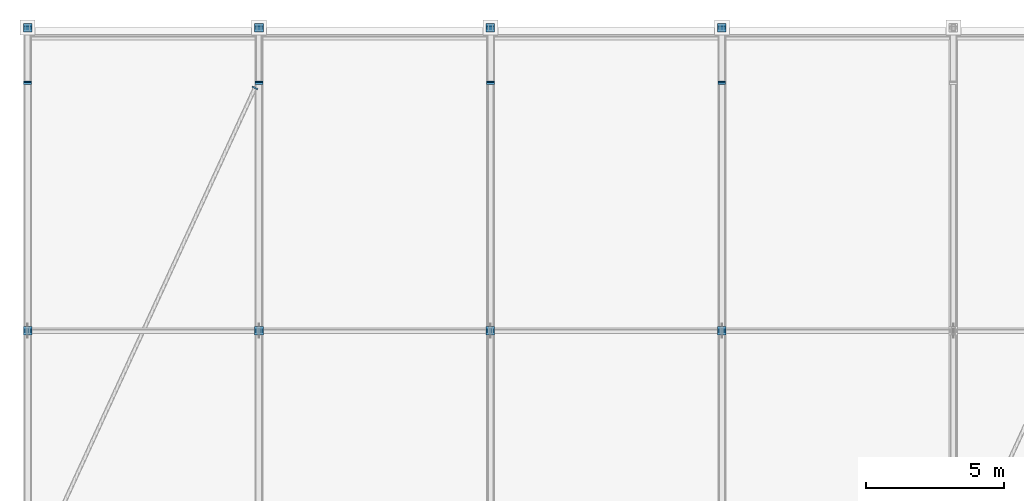
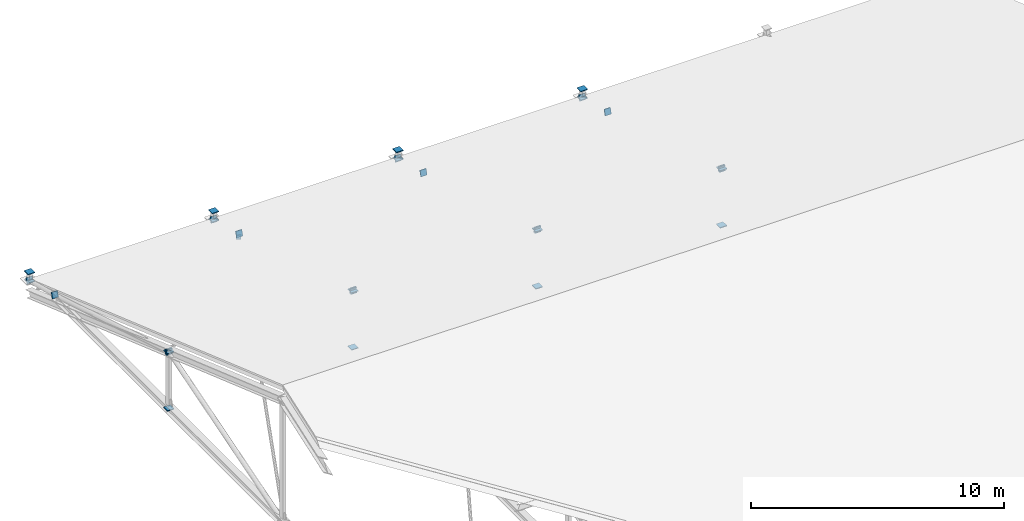
# One storey, part 53 of 57: 37 discrete accessories.
"""IFC4 building model written with IfcOpenShell, lengths in metres."""

from ifc_helpers import new_model, si_unit, direction, frame, origin, origin_2d, place, context, subcontext, project, spatial, rectangle, extrude, material, material_profile, profile_set, type_object, element, save


model = new_model("IFC4")

# Units and contexts
model_context = context("Model", 3, precision=1e-05, world=origin(), true_north=direction((0.0, 1.0)))
body_context = subcontext(model_context, "Body", "Model", "MODEL_VIEW")
ifc_project = project(units=[si_unit("LENGTHUNIT", "METRE"), si_unit("AREAUNIT", "SQUARE_METRE"), si_unit("VOLUMEUNIT", "CUBIC_METRE"), si_unit("PLANEANGLEUNIT", "RADIAN"), si_unit("MASSUNIT", "GRAM", prefix="KILO")], contexts=[model_context])

# Site, building, storey
site_placement = place(None, origin())
site = spatial("IfcSite", under=ifc_project, at=site_placement, CompositionType="ELEMENT")
building_placement = place(site_placement, origin())
building = spatial("IfcBuilding", under=site, at=building_placement, Name="Kelarvand Opera House", CompositionType="ELEMENT")
storey_placement = place(building_placement, frame((0.0, 0.0, 33.60009765625)))
storey = spatial("IfcBuildingStorey", under=building, at=storey_placement, Name="Roof", CompositionType="ELEMENT", Elevation=33.60009765625)

# Discrete accessories
ifc_material = material(Name="Steel S355", Category="steel")
ifc_material_profile_1 = material_profile(ifc_material, rectangle(XDim=0.199951171875, YDim=0.199951171875, at=origin_2d()), Name="Welded Steel Hollow End-Cap Plate 200x200x24", Category="steel")
ifc_profile_set_1 = profile_set([ifc_material_profile_1], Name="Steel S355")
discrete_accessory_type_1 = type_object("IfcDiscreteAccessoryType", Name="Welded Steel Hollow End-Cap Plate 200x200x24", PredefinedType="SHOE", material=ifc_profile_set_1)
discrete_accessory_1_placement = place(storey_placement, frame((17.24658203125, 122.792724609375, -13.580078125), z_axis=(0.419916986117, 0.907562518381, 0.0), x_axis=(-0.907562518381, 0.419916986117, 0.0)))
element("IfcDiscreteAccessory", 1, at=discrete_accessory_1_placement, inside=storey, type_object=discrete_accessory_type_1, Name="Hollow Section Welded End Cap 690", PredefinedType="SHOE", context=body_context, shape_type="SweptSolid", body=[
    extrude(rectangle(XDim=0.199951171875, YDim=0.199951171875, at=origin_2d()), origin(), (0.0, 0.0, 1.0), 0.0361328125),
])
ifc_material_profile_2 = material_profile(ifc_material, rectangle(XDim=0.279052734375, YDim=0.279052734375, at=origin_2d()), Name="Welded Steel Hollow End-Cap Plate 279x279x24", Category="steel")
ifc_profile_set_2 = profile_set([ifc_material_profile_2], Name="Steel S355")
discrete_accessory_type_2 = type_object("IfcDiscreteAccessoryType", Name="Welded Steel Hollow End-Cap Plate 279x279x24", PredefinedType="SHOE", material=ifc_profile_set_2)
for number, where, z_axis, x_axis, name in (
    (2, (9.0, 124.9921875, -14.09814453125), (0.0, 0.968118610388, -0.250492227863), (-1.0, 0.0, 0.0), "Hollow Section Welded End Cap 547"),
    (3, (9.0, 123.0078125, -13.58203125), (0.0, -0.968118610388, 0.250492227863), (1.0, 0.0, 0.0), "Hollow Section Welded End Cap 548"),
    (4, (9.0, 113.9921875, -10.855224609375), (0.0, 0.957081072506, 0.289820324773), (-1.0, 0.0, 0.0), "Hollow Section Welded End Cap 556"),
    (5, (9.0, 114.0078125, -10.855224609375), (0.0, -0.957081072506, 0.289820324773), (1.0, 0.0, 0.0), "Hollow Section Welded End Cap 557"),
    (6, (9.0, 122.9921875, -13.577880859375), (0.0, 0.958934255811, -0.28362844186), (-1.0, 0.0, 0.0), "Hollow Section Welded End Cap 558"),
    (7, (17.39990234375, 124.9921875, -14.09814453125), (0.0, 0.968118610388, -0.250492227863), (-1.0, 0.0, 0.0), "Hollow Section Welded End Cap 571"),
    (8, (17.39990234375, 123.0078125, -13.58203125), (0.0, -0.968118610388, 0.250492227863), (1.0, 0.0, 0.0), "Hollow Section Welded End Cap 572"),
    (9, (17.39990234375, 113.9921875, -10.855224609375), (0.0, 0.957081072506, 0.289820324773), (-1.0, 0.0, 0.0), "Hollow Section Welded End Cap 580"),
    (10, (17.39990234375, 114.0078125, -10.855224609375), (0.0, -0.957081072506, 0.289820324773), (1.0, 0.0, 0.0), "Hollow Section Welded End Cap 581"),
    (11, (17.39990234375, 122.9921875, -13.577880859375), (0.0, 0.958934255811, -0.28362844186), (-1.0, 0.0, 0.0), "Hollow Section Welded End Cap 582"),
    (12, (25.800048828125, 124.9921875, -14.09814453125), (0.0, 0.968118610388, -0.250492227863), (-1.0, 0.0, 0.0), "Hollow Section Welded End Cap 595"),
    (13, (25.800048828125, 123.0078125, -13.58203125), (0.0, -0.968118610388, 0.250492227863), (1.0, 0.0, 0.0), "Hollow Section Welded End Cap 596"),
    (14, (25.800048828125, 113.9921875, -10.855224609375), (0.0, 0.957081072506, 0.289820324773), (-1.0, 0.0, 0.0), "Hollow Section Welded End Cap 604"),
    (15, (25.800048828125, 114.0078125, -10.855224609375), (0.0, -0.957081072506, 0.289820324773), (1.0, 0.0, 0.0), "Hollow Section Welded End Cap 605"),
    (16, (25.800048828125, 122.9921875, -13.577880859375), (0.0, 0.958934255811, -0.28362844186), (-1.0, 0.0, 0.0), "Hollow Section Welded End Cap 606"),
    (17, (34.199951171875, 124.9921875, -14.09814453125), (0.0, 0.968118610388, -0.250492227863), (-1.0, 0.0, 0.0), "Hollow Section Welded End Cap 619"),
    (18, (34.199951171875, 123.0078125, -13.58203125), (0.0, -0.968118610388, 0.250492227863), (1.0, 0.0, 0.0), "Hollow Section Welded End Cap 620"),
    (19, (34.199951171875, 113.9921875, -10.855224609375), (0.0, 0.957081072506, 0.289820324773), (-1.0, 0.0, 0.0), "Hollow Section Welded End Cap 628"),
    (20, (34.199951171875, 114.0078125, -10.855224609375), (0.0, -0.957081072506, 0.289820324773), (1.0, 0.0, 0.0), "Hollow Section Welded End Cap 629"),
    (21, (34.199951171875, 122.9921875, -13.577880859375), (0.0, 0.958934255811, -0.28362844186), (-1.0, 0.0, 0.0), "Hollow Section Welded End Cap 630"),
):
    element("IfcDiscreteAccessory", number, at=place(storey_placement, frame(where, z_axis=z_axis, x_axis=x_axis)), inside=storey, type_object=discrete_accessory_type_2, Name=name, PredefinedType="SHOE", context=body_context, shape_type="SweptSolid", body=[
        extrude(rectangle(XDim=0.279052734375, YDim=0.279052734375, at=origin_2d()), origin(), (0.0, 0.0, 1.0), 0.0361328125),
    ])
ifc_material_profile_3 = material_profile(ifc_material, rectangle(XDim=0.31005859375, YDim=0.31005859375, at=origin_2d()), Name="Welded Steel Hollow End-Cap Plate 310x310x24", Category="steel")
ifc_profile_set_3 = profile_set([ifc_material_profile_3], Name="Steel S355")
discrete_accessory_type_3 = type_object("IfcDiscreteAccessoryType", Name="Welded Steel Hollow End-Cap Plate 310x310x24", PredefinedType="SHOE", material=ifc_profile_set_3)
discrete_accessory_2_placement = place(storey_placement, frame((9.0, 125.0, -14.092041015625), z_axis=(0.0, 0.0, -1.0), x_axis=(1.0, 0.0, 0.0)))
element("IfcDiscreteAccessory", 22, at=discrete_accessory_2_placement, inside=storey, type_object=discrete_accessory_type_3, Name="Hollow Section Welded End Cap 549", PredefinedType="SHOE", context=body_context, shape_type="SweptSolid", body=[
    extrude(rectangle(XDim=0.31005859375, YDim=0.31005859375, at=origin_2d()), origin(), (0.0, 0.0, 1.0), 0.0361328125),
])
discrete_accessory_3_placement = place(storey_placement, frame((9.0, 125.0, -13.7080078125), z_axis=(0.0, 0.0, 1.0), x_axis=(1.0, 0.0, 0.0)))
element("IfcDiscreteAccessory", 23, at=discrete_accessory_3_placement, inside=storey, type_object=discrete_accessory_type_3, Name="Hollow Section Welded End Cap 550", PredefinedType="SHOE", context=body_context, shape_type="SweptSolid", body=[
    extrude(rectangle(XDim=0.31005859375, YDim=0.31005859375, at=origin_2d()), origin(), (0.0, 0.0, 1.0), 0.035888671875),
])
discrete_accessory_4_placement = place(storey_placement, frame((9.0, 114.0, -13.572021484375), z_axis=(0.0, 0.0, -1.0), x_axis=(1.0, 0.0, 0.0)))
element("IfcDiscreteAccessory", 24, at=discrete_accessory_4_placement, inside=storey, type_object=discrete_accessory_type_3, Name="Hollow Section Welded End Cap 563", PredefinedType="SHOE", context=body_context, shape_type="SweptSolid", body=[
    extrude(rectangle(XDim=0.31005859375, YDim=0.31005859375, at=origin_2d()), origin(), (0.0, 0.0, 1.0), 0.0361328125),
])
discrete_accessory_5_placement = place(storey_placement, frame((9.0, 114.0, -10.86083984375), z_axis=(0.0, 0.0, 1.0), x_axis=(1.0, 0.0, 0.0)))
element("IfcDiscreteAccessory", 25, at=discrete_accessory_5_placement, inside=storey, type_object=discrete_accessory_type_3, Name="Hollow Section Welded End Cap 564", PredefinedType="SHOE", context=body_context, shape_type="SweptSolid", body=[
    extrude(rectangle(XDim=0.31005859375, YDim=0.31005859375, at=origin_2d()), origin(), (0.0, 0.0, 1.0), 0.035888671875),
])
discrete_accessory_6_placement = place(storey_placement, frame((17.39990234375, 125.0, -14.092041015625), z_axis=(0.0, 0.0, -1.0), x_axis=(1.0, 0.0, 0.0)))
element("IfcDiscreteAccessory", 26, at=discrete_accessory_6_placement, inside=storey, type_object=discrete_accessory_type_3, Name="Hollow Section Welded End Cap 573", PredefinedType="SHOE", context=body_context, shape_type="SweptSolid", body=[
    extrude(rectangle(XDim=0.31005859375, YDim=0.31005859375, at=origin_2d()), origin(), (0.0, 0.0, 1.0), 0.0361328125),
])
discrete_accessory_7_placement = place(storey_placement, frame((17.39990234375, 125.0, -13.7080078125), z_axis=(0.0, 0.0, 1.0), x_axis=(1.0, 0.0, 0.0)))
element("IfcDiscreteAccessory", 27, at=discrete_accessory_7_placement, inside=storey, type_object=discrete_accessory_type_3, Name="Hollow Section Welded End Cap 574", PredefinedType="SHOE", context=body_context, shape_type="SweptSolid", body=[
    extrude(rectangle(XDim=0.31005859375, YDim=0.31005859375, at=origin_2d()), origin(), (0.0, 0.0, 1.0), 0.035888671875),
])
discrete_accessory_8_placement = place(storey_placement, frame((17.39990234375, 114.0, -13.572021484375), z_axis=(0.0, 0.0, -1.0), x_axis=(1.0, 0.0, 0.0)))
element("IfcDiscreteAccessory", 28, at=discrete_accessory_8_placement, inside=storey, type_object=discrete_accessory_type_3, Name="Hollow Section Welded End Cap 587", PredefinedType="SHOE", context=body_context, shape_type="SweptSolid", body=[
    extrude(rectangle(XDim=0.31005859375, YDim=0.31005859375, at=origin_2d()), origin(), (0.0, 0.0, 1.0), 0.0361328125),
])
discrete_accessory_9_placement = place(storey_placement, frame((17.39990234375, 114.0, -10.86083984375), z_axis=(0.0, 0.0, 1.0), x_axis=(1.0, 0.0, 0.0)))
element("IfcDiscreteAccessory", 29, at=discrete_accessory_9_placement, inside=storey, type_object=discrete_accessory_type_3, Name="Hollow Section Welded End Cap 588", PredefinedType="SHOE", context=body_context, shape_type="SweptSolid", body=[
    extrude(rectangle(XDim=0.31005859375, YDim=0.31005859375, at=origin_2d()), origin(), (0.0, 0.0, 1.0), 0.035888671875),
])
discrete_accessory_10_placement = place(storey_placement, frame((25.800048828125, 125.0, -14.092041015625), z_axis=(0.0, 0.0, -1.0), x_axis=(1.0, 0.0, 0.0)))
element("IfcDiscreteAccessory", 30, at=discrete_accessory_10_placement, inside=storey, type_object=discrete_accessory_type_3, Name="Hollow Section Welded End Cap 597", PredefinedType="SHOE", context=body_context, shape_type="SweptSolid", body=[
    extrude(rectangle(XDim=0.31005859375, YDim=0.31005859375, at=origin_2d()), origin(), (0.0, 0.0, 1.0), 0.0361328125),
])
discrete_accessory_11_placement = place(storey_placement, frame((25.800048828125, 125.0, -13.7080078125), z_axis=(0.0, 0.0, 1.0), x_axis=(1.0, 0.0, 0.0)))
element("IfcDiscreteAccessory", 31, at=discrete_accessory_11_placement, inside=storey, type_object=discrete_accessory_type_3, Name="Hollow Section Welded End Cap 598", PredefinedType="SHOE", context=body_context, shape_type="SweptSolid", body=[
    extrude(rectangle(XDim=0.31005859375, YDim=0.31005859375, at=origin_2d()), origin(), (0.0, 0.0, 1.0), 0.035888671875),
])
discrete_accessory_12_placement = place(storey_placement, frame((25.800048828125, 114.0, -13.572021484375), z_axis=(0.0, 0.0, -1.0), x_axis=(1.0, 0.0, 0.0)))
element("IfcDiscreteAccessory", 32, at=discrete_accessory_12_placement, inside=storey, type_object=discrete_accessory_type_3, Name="Hollow Section Welded End Cap 611", PredefinedType="SHOE", context=body_context, shape_type="SweptSolid", body=[
    extrude(rectangle(XDim=0.31005859375, YDim=0.31005859375, at=origin_2d()), origin(), (0.0, 0.0, 1.0), 0.0361328125),
])
discrete_accessory_13_placement = place(storey_placement, frame((25.800048828125, 114.0, -10.86083984375), z_axis=(0.0, 0.0, 1.0), x_axis=(1.0, 0.0, 0.0)))
element("IfcDiscreteAccessory", 33, at=discrete_accessory_13_placement, inside=storey, type_object=discrete_accessory_type_3, Name="Hollow Section Welded End Cap 612", PredefinedType="SHOE", context=body_context, shape_type="SweptSolid", body=[
    extrude(rectangle(XDim=0.31005859375, YDim=0.31005859375, at=origin_2d()), origin(), (0.0, 0.0, 1.0), 0.035888671875),
])
discrete_accessory_14_placement = place(storey_placement, frame((34.199951171875, 125.0, -14.092041015625), z_axis=(0.0, 0.0, -1.0), x_axis=(1.0, 0.0, 0.0)))
element("IfcDiscreteAccessory", 34, at=discrete_accessory_14_placement, inside=storey, type_object=discrete_accessory_type_3, Name="Hollow Section Welded End Cap 621", PredefinedType="SHOE", context=body_context, shape_type="SweptSolid", body=[
    extrude(rectangle(XDim=0.31005859375, YDim=0.31005859375, at=origin_2d()), origin(), (0.0, 0.0, 1.0), 0.0361328125),
])
discrete_accessory_15_placement = place(storey_placement, frame((34.199951171875, 125.0, -13.7080078125), z_axis=(0.0, 0.0, 1.0), x_axis=(1.0, 0.0, 0.0)))
element("IfcDiscreteAccessory", 35, at=discrete_accessory_15_placement, inside=storey, type_object=discrete_accessory_type_3, Name="Hollow Section Welded End Cap 622", PredefinedType="SHOE", context=body_context, shape_type="SweptSolid", body=[
    extrude(rectangle(XDim=0.31005859375, YDim=0.31005859375, at=origin_2d()), origin(), (0.0, 0.0, 1.0), 0.035888671875),
])
discrete_accessory_16_placement = place(storey_placement, frame((34.199951171875, 114.0, -13.572021484375), z_axis=(0.0, 0.0, -1.0), x_axis=(1.0, 0.0, 0.0)))
element("IfcDiscreteAccessory", 36, at=discrete_accessory_16_placement, inside=storey, type_object=discrete_accessory_type_3, Name="Hollow Section Welded End Cap 635", PredefinedType="SHOE", context=body_context, shape_type="SweptSolid", body=[
    extrude(rectangle(XDim=0.31005859375, YDim=0.31005859375, at=origin_2d()), origin(), (0.0, 0.0, 1.0), 0.0361328125),
])
discrete_accessory_17_placement = place(storey_placement, frame((34.199951171875, 114.0, -10.86083984375), z_axis=(0.0, 0.0, 1.0), x_axis=(1.0, 0.0, 0.0)))
element("IfcDiscreteAccessory", 37, at=discrete_accessory_17_placement, inside=storey, type_object=discrete_accessory_type_3, Name="Hollow Section Welded End Cap 636", PredefinedType="SHOE", context=body_context, shape_type="SweptSolid", body=[
    extrude(rectangle(XDim=0.31005859375, YDim=0.31005859375, at=origin_2d()), origin(), (0.0, 0.0, 1.0), 0.035888671875),
])

save(model, "model.ifc")
